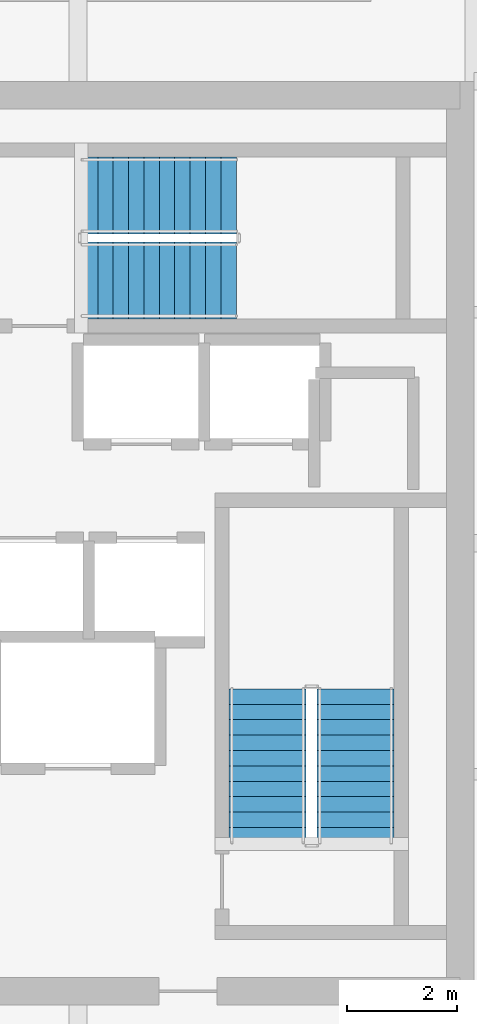
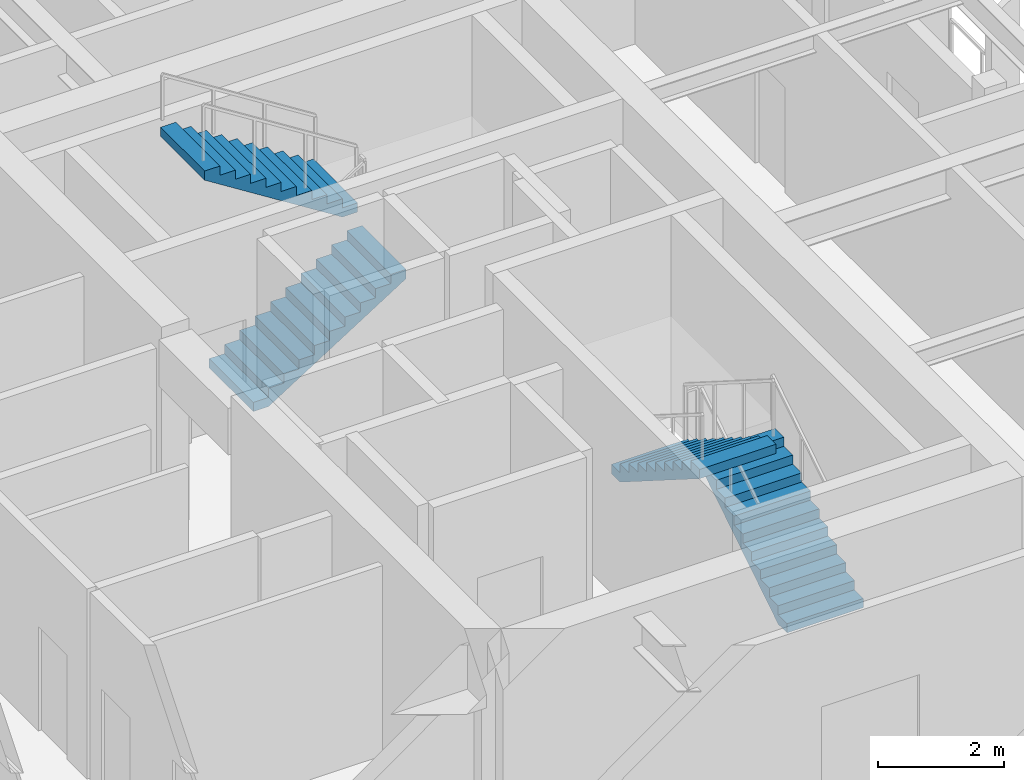
# One storey, part 14 of 16: 4 stair flights, 2 elements without a shape of their own.
"""IFC4 building model written with IfcOpenShell, lengths in metres."""

import ifcopenshell
import ifcopenshell.guid

model = None  # the IFC model being written
_history = None  # IfcOwnerHistory: only IFC2X3 demands one
_inside = {}  # id of a spatial element -> (the spatial element, [elements in it])
_under = {}  # id of a project, library or spatial element -> (it, [spatial elements below it])
_declared = {}  # id of a project -> (the project, [libraries it declares])
_typed = {}  # id of a type object -> (the type object, [elements of that type])
_made_of = {}  # id of a material, layer set ... -> (it, [elements and type objects made of it])


def new_model(schema):
    """Start an empty IFC model of exactly this schema.

    Asked for "IFC4X3", IfcOpenShell would pick the latest addendum, in which some entities
    have other attributes; the version numbers below select the first issue.
    IFC2X3 requires an IfcOwnerHistory on every rooted entity: one is made here for all.
    """
    global model, _history
    if schema == "IFC4X3":
        model = ifcopenshell.file(schema_version=(4, 3, 0, 0))
    else:
        model = ifcopenshell.file(schema=schema)
    _inside.clear()
    _under.clear()
    _declared.clear()
    _typed.clear()
    _made_of.clear()
    _history = None
    if model.schema == "IFC2X3":
        org = make("IfcOrganization", Name="unknown")
        user = make(
            "IfcPersonAndOrganization",
            ThePerson=make("IfcPerson", FamilyName="unknown"),
            TheOrganization=org,
        )
        app = make(
            "IfcApplication",
            ApplicationDeveloper=org,
            Version="unknown",
            ApplicationFullName="unknown",
            ApplicationIdentifier="unknown",
        )
        _history = make(
            "IfcOwnerHistory",
            OwningUser=user,
            OwningApplication=app,
            ChangeAction="ADDED",
            CreationDate=0,
        )
    return model


def make(cls, **values):
    """One entity of the class cls with the attributes given. An attribute that is None is left unset."""
    return model.create_entity(
        cls, **{name: value for name, value in values.items() if value is not None}
    )


def rooted(cls, **values):
    """An entity with a GlobalId (a new one), such as an element, a storey or a relation."""
    return make(cls, GlobalId=ifcopenshell.guid.new(), OwnerHistory=_history, **values)


def si_unit(unit_type, name, prefix=None):
    """IfcSIUnit, for example si_unit("LENGTHUNIT", "METRE", prefix="MILLI")."""
    return make("IfcSIUnit", UnitType=unit_type, Prefix=prefix, Name=name)


def assignment(units):
    """IfcUnitAssignment: the units of a project."""
    return None if units is None else make("IfcUnitAssignment", Units=units)


def point(xyz):
    """IfcCartesianPoint."""
    return None if xyz is None else make("IfcCartesianPoint", Coordinates=xyz)


def direction(xyz):
    """IfcDirection."""
    return None if xyz is None else make("IfcDirection", DirectionRatios=xyz)


def frame(location, z_axis=None, x_axis=None):
    """IfcAxis2Placement3D, a coordinate frame: its origin and axes. An axis left out is left unset."""
    return make(
        "IfcAxis2Placement3D",
        Location=point(location),
        Axis=direction(z_axis),
        RefDirection=direction(x_axis),
    )


def origin():
    """The frame at (0, 0, 0) with its axes left unset."""
    return frame((0.0, 0.0, 0.0))


def place(relative_to, where):
    """IfcLocalPlacement: puts the frame where relative to a parent placement (None: the world)."""
    return make(
        "IfcLocalPlacement", PlacementRelTo=relative_to, RelativePlacement=where
    )


def context(
    kind, dimensions, precision=None, world=None, true_north=None, identifier=None
):
    """IfcGeometricRepresentationContext, for example the 3D "Model" context."""
    return make(
        "IfcGeometricRepresentationContext",
        ContextIdentifier=identifier,
        ContextType=kind,
        CoordinateSpaceDimension=dimensions,
        Precision=precision,
        WorldCoordinateSystem=world,
        TrueNorth=true_north,
    )


def subcontext(parent, identifier, kind, view, scale=None):
    """IfcGeometricRepresentationSubContext, for example "Body" below "Model"."""
    return make(
        "IfcGeometricRepresentationSubContext",
        ContextIdentifier=identifier,
        ContextType=kind,
        ParentContext=parent,
        TargetScale=scale,
        TargetView=view,
    )


def project(units=None, contexts=None):
    """IfcProject with its units and contexts."""
    return rooted(
        "IfcProject",
        Name="project",
        RepresentationContexts=contexts,
        UnitsInContext=assignment(units),
    )


def spatial(cls, under=None, at=None, **own):
    """A site, building, storey or space (cls), placed at a placement, below another one or the project."""
    s = rooted(cls, ObjectPlacement=at, **own)
    if under is not None:
        _under.setdefault(under.id(), (under, []))[1].append(s)
    return s


def polyline(points):
    """IfcPolyline through the points."""
    return make("IfcPolyline", Points=[point(p) for p in points])


def outline(outer, holes=None, kind="AREA"):
    """IfcArbitraryClosedProfileDef: a profile drawn as a closed curve; with holes, ...WithVoids."""
    if holes is None:
        return make("IfcArbitraryClosedProfileDef", ProfileType=kind, OuterCurve=outer)
    return make(
        "IfcArbitraryProfileDefWithVoids",
        ProfileType=kind,
        OuterCurve=outer,
        InnerCurves=holes,
    )


def extrude(swept, where, along, depth):
    """IfcExtrudedAreaSolid: the profile swept, set in the frame where, extruded along a direction by depth."""
    return make(
        "IfcExtrudedAreaSolid",
        SweptArea=swept,
        Position=where,
        ExtrudedDirection=direction(along),
        Depth=depth,
    )


def shape(context_of_items, identifier, shape_type, items):
    """IfcShapeRepresentation: the items that make up one representation, for example the "Body"."""
    return make(
        "IfcShapeRepresentation",
        ContextOfItems=context_of_items,
        RepresentationIdentifier=identifier,
        RepresentationType=shape_type,
        Items=items,
    )


def material(Name=None, Category=None):
    """IfcMaterial."""
    return make("IfcMaterial", Name=Name, Category=Category)


def made_of(thing, what):
    """Note that an element or type object is made of a material, layer set ...; save() writes the relation."""
    if what is not None:
        _made_of.setdefault(what.id(), (what, []))[1].append(thing)
    return thing


def type_object(cls, material=None, **own):
    """A type object (cls), such as IfcWallType, which elements share."""
    return made_of(rooted(cls, **own), material)


def element(
    cls,
    number,
    at=None,
    inside=None,
    cuts=None,
    type_object=None,
    material=None,
    context=None,
    identifier="Body",
    shape_type=None,
    held_by="IfcProductDefinitionShape",
    body=None,
    shapes=None,
    **own,
):
    """One element of the class cls, such as IfcWall. Its Tag is "e" and its number.

    at: its placement. inside: the storey or other place that contains it. cuts: it is an
    opening in that element (IfcRelVoidsElement). A single representation is given by context,
    identifier, shape_type and body (its items); several are given by shapes. held_by: the class
    of the entity that holds the representations. save() writes the other relations.
    """
    e = rooted(cls, Tag="e%d" % number, ObjectPlacement=at, **own)
    if body is not None:
        shapes = [shape(context, identifier, shape_type, body)]
    if shapes is not None:
        e.Representation = make(held_by, Representations=shapes)
    if inside is not None:
        _inside.setdefault(inside.id(), (inside, []))[1].append(e)
    if cuts is not None:
        rooted(
            "IfcRelVoidsElement", RelatingBuildingElement=cuts, RelatedOpeningElement=e
        )
    if type_object is not None:
        _typed.setdefault(type_object.id(), (type_object, []))[1].append(e)
    return made_of(e, material)


def aggregate(whole, parts):
    """IfcRelAggregates: a whole, such as a stair, and the parts it consists of."""
    return rooted("IfcRelAggregates", RelatingObject=whole, RelatedObjects=parts)


def save(model, path):
    """Write the relations noted so far, then the file.

    IfcRelAggregates (storeys below a building ...), IfcRelContainedInSpatialStructure (elements
    in a storey), IfcRelDefinesByType, IfcRelAssociatesMaterial and IfcRelDeclares: one each for
    every whole, place, type object, material and project.
    """
    for whole, parts in _under.values():
        aggregate(whole, parts)
    for where, things in _inside.values():
        rooted(
            "IfcRelContainedInSpatialStructure",
            RelatedElements=things,
            RelatingStructure=where,
        )
    for kind, things in _typed.values():
        rooted("IfcRelDefinesByType", RelatedObjects=things, RelatingType=kind)
    for what, things in _made_of.values():
        rooted("IfcRelAssociatesMaterial", RelatedObjects=things, RelatingMaterial=what)
    for by, libraries in _declared.values():
        rooted("IfcRelDeclares", RelatingContext=by, RelatedDefinitions=libraries)
    model.write(path)


model = new_model("IFC4")

# Units and contexts
model_context = context("Model", 3, precision=1e-05, world=origin(), true_north=direction((0.0, 1.0)))
body_context = subcontext(model_context, "Body", "Model", "MODEL_VIEW")
ifc_project = project(units=[si_unit("LENGTHUNIT", "METRE"), si_unit("AREAUNIT", "SQUARE_METRE"), si_unit("VOLUMEUNIT", "CUBIC_METRE"), si_unit("PLANEANGLEUNIT", "RADIAN"), si_unit("MASSUNIT", "GRAM", prefix="KILO")], contexts=[model_context])

# Site, building, storey
site_placement = place(None, origin())
site = spatial("IfcSite", under=ifc_project, at=site_placement, CompositionType="ELEMENT")
building_placement = place(site_placement, origin())
building = spatial("IfcBuilding", under=site, at=building_placement, Name="Kiyonajd Concourse Tower", CompositionType="ELEMENT")
storey_placement = place(building_placement, frame((0.0, 0.0, 333.60009765625)))
storey = spatial("IfcBuildingStorey", under=building, at=storey_placement, Name="L84", CompositionType="ELEMENT", Elevation=333.60009765625)

# Stair, stair flights
ifc_material = material(Name="Concrete C40/50", Category="concrete")
stair_type = type_object("IfcStairType", Name="ST-DLG-22R", PredefinedType="HALF_TURN_STAIR", material=ifc_material)
stair_1_placement = place(storey_placement, origin())
stair_1 = element("IfcStair", 1, at=stair_1_placement, inside=storey, type_object=stair_type, Name="L84 Protected Exit Stair ST2", PredefinedType="HALF_TURN_STAIR")
stair_flight_type = type_object("IfcStairFlightType", Name="SF-STR-22R", PredefinedType="STRAIGHT", material=ifc_material)
stair_flight_1_placement = place(storey_placement, frame((61.449951171875, 30.550048828125, 0.0), z_axis=(0.0, 0.0, 1.0), x_axis=(0.0, 1.0, 0.0)))
stair_flight_1 = element("IfcStairFlight", 2, at=stair_flight_1_placement, type_object=stair_flight_type, Name="ST2 flight 1", NumberOfRisers=11, NumberOfTreads=10, PredefinedType="STRAIGHT", RiserHeight=0.177272727, TreadLength=0.28, context=body_context, shape_type="SweptSolid", body=[
    extrude(outline(polyline([(0.0, 0.0), (0.0, 0.17724609375), (0.280029296875, 0.17724609375), (0.280029296875, 0.3544921875), (0.56005859375, 0.3544921875), (0.56005859375, 0.53173828125), (0.840087890625, 0.53173828125), (0.840087890625, 0.708984375), (1.1201171875, 0.708984375), (1.1201171875, 0.886474609375), (1.39990234375, 0.886474609375), (1.39990234375, 1.063720703125), (1.679931640625, 1.063720703125), (1.679931640625, 1.240966796875), (1.9599609375, 1.240966796875), (1.9599609375, 1.418212890625), (2.239990234375, 1.418212890625), (2.239990234375, 1.595458984375), (2.52001953125, 1.595458984375), (2.52001953125, 1.772705078125), (2.800048828125, 1.772705078125), (2.800048828125, 1.949951171875), (2.800048828125, 1.59521484375), (0.2802734375, 0.0), (0.0, 0.0)])), frame((0.0, 0.699951171875, 0.0), z_axis=(0.0, -1.0, 0.0), x_axis=(1.0, 0.0, 0.0)), (0.0, 0.0, 1.0), 1.39990234375),
])
stair_flight_2_placement = place(storey_placement, frame((59.85009765625, 33.35009765625, 1.949951171875), z_axis=(0.0, 0.0, 1.0), x_axis=(0.0, -1.0, 0.0)))
stair_flight_2 = element("IfcStairFlight", 3, at=stair_flight_2_placement, type_object=stair_flight_type, Name="ST2 flight 2", NumberOfRisers=11, NumberOfTreads=10, PredefinedType="STRAIGHT", RiserHeight=0.177272727, TreadLength=0.28, context=body_context, shape_type="SweptSolid", body=[
    extrude(outline(polyline([(0.0, 0.0), (0.0, 0.17724609375), (0.280029296875, 0.17724609375), (0.280029296875, 0.3544921875), (0.56005859375, 0.3544921875), (0.56005859375, 0.53173828125), (0.840087890625, 0.53173828125), (0.840087890625, 0.708984375), (1.1201171875, 0.708984375), (1.1201171875, 0.886474609375), (1.39990234375, 0.886474609375), (1.39990234375, 1.063720703125), (1.679931640625, 1.063720703125), (1.679931640625, 1.240966796875), (1.9599609375, 1.240966796875), (1.9599609375, 1.418212890625), (2.239990234375, 1.418212890625), (2.239990234375, 1.595458984375), (2.52001953125, 1.595458984375), (2.52001953125, 1.772705078125), (2.800048828125, 1.772705078125), (2.800048828125, 1.949951171875), (2.800048828125, 1.59521484375), (0.2802734375, 0.0), (0.0, 0.0)])), frame((0.0, 0.699951171875, 0.0), z_axis=(0.0, -1.0, 0.0), x_axis=(1.0, 0.0, 0.0)), (0.0, 0.0, 1.0), 1.39990234375),
])
aggregate(stair_1, [stair_flight_1, stair_flight_2])

stair_2_placement = place(storey_placement, origin())
stair_2 = element("IfcStair", 4, at=stair_2_placement, inside=storey, type_object=stair_type, Name="L84 Protected Exit Stair ST3", PredefinedType="HALF_TURN_STAIR")
stair_flight_3_placement = place(storey_placement, frame((56.47998046875, 40.780029296875, 0.0), z_axis=(0.0, 0.0, 1.0), x_axis=(1.0, 0.0, 0.0)))
stair_flight_3 = element("IfcStairFlight", 5, at=stair_flight_3_placement, type_object=stair_flight_type, Name="ST3 flight 1", NumberOfRisers=11, NumberOfTreads=10, PredefinedType="STRAIGHT", RiserHeight=0.177272727, TreadLength=0.28, context=body_context, shape_type="SweptSolid", body=[
    extrude(outline(polyline([(0.0, 0.0), (0.0, 0.17724609375), (0.280029296875, 0.17724609375), (0.280029296875, 0.3544921875), (0.56005859375, 0.3544921875), (0.56005859375, 0.53173828125), (0.840087890625, 0.53173828125), (0.840087890625, 0.708984375), (1.1201171875, 0.708984375), (1.1201171875, 0.886474609375), (1.39990234375, 0.886474609375), (1.39990234375, 1.063720703125), (1.679931640625, 1.063720703125), (1.679931640625, 1.240966796875), (1.9599609375, 1.240966796875), (1.9599609375, 1.418212890625), (2.239990234375, 1.418212890625), (2.239990234375, 1.595458984375), (2.52001953125, 1.595458984375), (2.52001953125, 1.772705078125), (2.800048828125, 1.772705078125), (2.800048828125, 1.949951171875), (2.800048828125, 1.59521484375), (0.2802734375, 0.0), (0.0, 0.0)])), frame((0.0, 0.699951171875, 0.0), z_axis=(0.0, -1.0, 0.0), x_axis=(1.0, 0.0, 0.0)), (0.0, 0.0, 1.0), 1.39990234375),
])
stair_flight_4_placement = place(storey_placement, frame((59.280029296875, 42.320068359375, 1.949951171875), z_axis=(0.0, 0.0, 1.0), x_axis=(-1.0, 0.0, 0.0)))
stair_flight_4 = element("IfcStairFlight", 6, at=stair_flight_4_placement, type_object=stair_flight_type, Name="ST3 flight 2", NumberOfRisers=11, NumberOfTreads=10, PredefinedType="STRAIGHT", RiserHeight=0.177272727, TreadLength=0.28, context=body_context, shape_type="SweptSolid", body=[
    extrude(outline(polyline([(0.0, 0.0), (0.0, 0.17724609375), (0.280029296875, 0.17724609375), (0.280029296875, 0.3544921875), (0.56005859375, 0.3544921875), (0.56005859375, 0.53173828125), (0.840087890625, 0.53173828125), (0.840087890625, 0.708984375), (1.1201171875, 0.708984375), (1.1201171875, 0.886474609375), (1.39990234375, 0.886474609375), (1.39990234375, 1.063720703125), (1.679931640625, 1.063720703125), (1.679931640625, 1.240966796875), (1.9599609375, 1.240966796875), (1.9599609375, 1.418212890625), (2.239990234375, 1.418212890625), (2.239990234375, 1.595458984375), (2.52001953125, 1.595458984375), (2.52001953125, 1.772705078125), (2.800048828125, 1.772705078125), (2.800048828125, 1.949951171875), (2.800048828125, 1.59521484375), (0.2802734375, 0.0), (0.0, 0.0)])), frame((0.0, 0.699951171875, 0.0), z_axis=(0.0, -1.0, 0.0), x_axis=(1.0, 0.0, 0.0)), (0.0, 0.0, 1.0), 1.39990234375),
])
aggregate(stair_2, [stair_flight_3, stair_flight_4])

save(model, "model.ifc")
